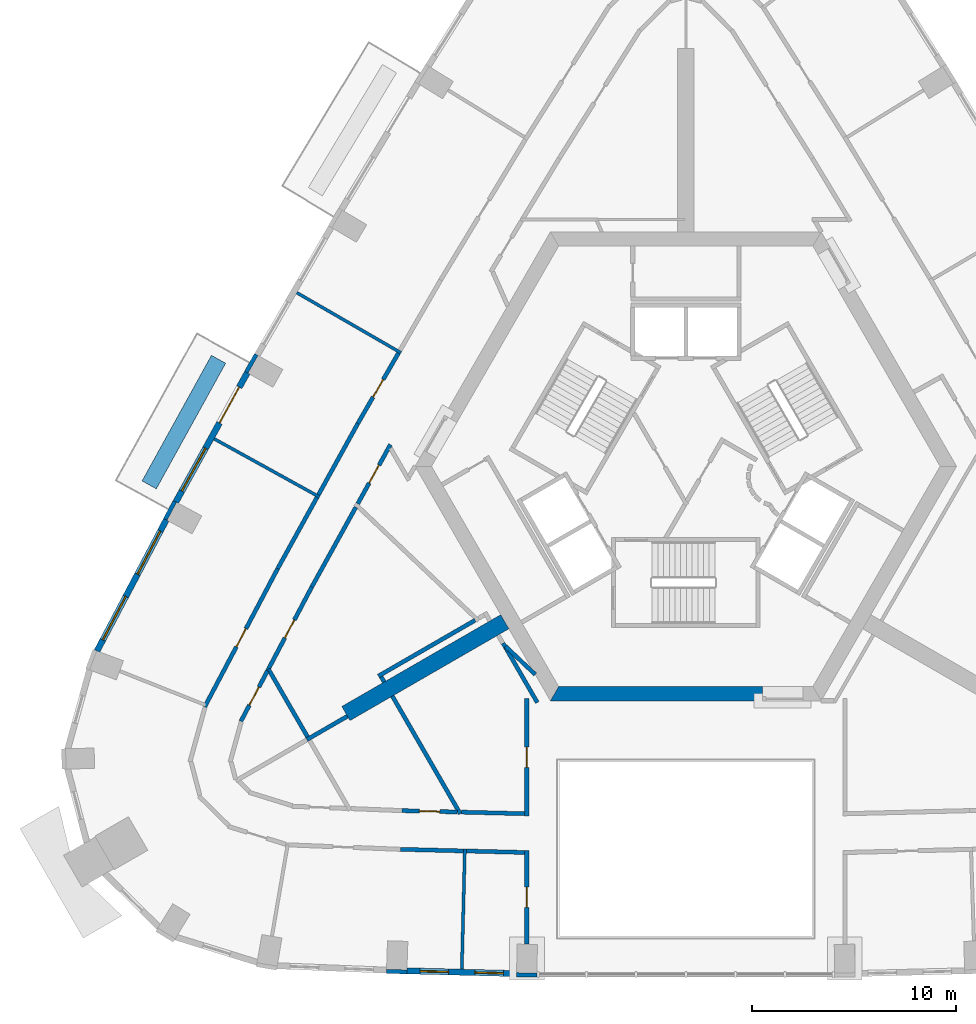
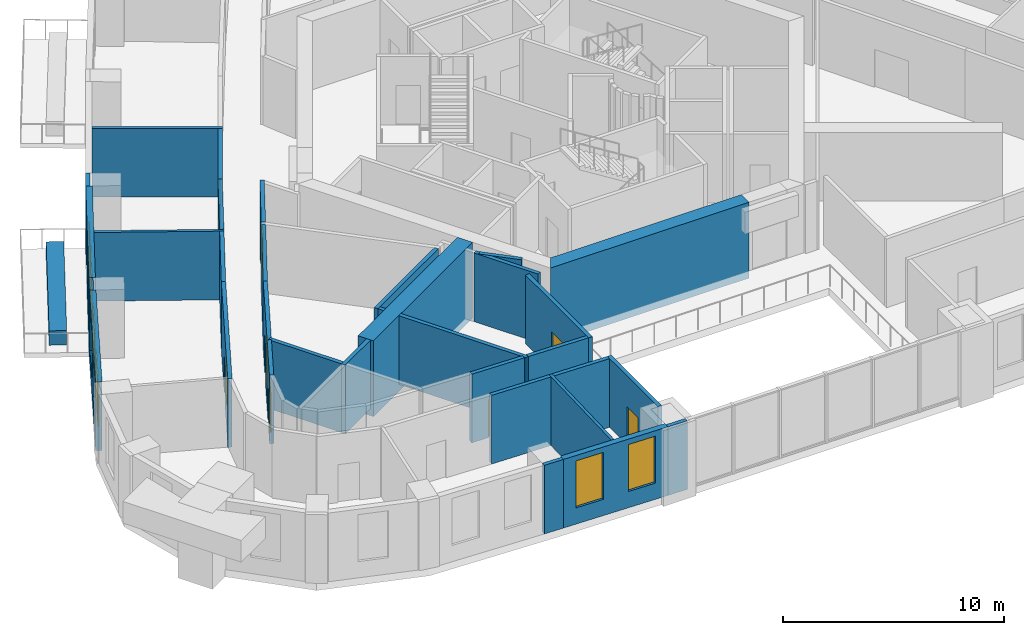
# One storey, part 4 of 13: 34 walls, 9 doors, 5 windows, 14 openings.
"""IFC4 building model written with IfcOpenShell, lengths in metres."""

from ifc_helpers import new_model, si_unit, direction, frame, frame_2d, origin, place, context, subcontext, project, spatial, polyline, rectangle, outline, extrude, material, layer, layer_set, type_object, element, fill, save


model = new_model("IFC4")

# Units and contexts
model_context = context("Model", 3, precision=1e-05, world=origin(), true_north=direction((0.0, 1.0)))
body_context = subcontext(model_context, "Body", "Model", "MODEL_VIEW")
ifc_project = project(units=[si_unit("LENGTHUNIT", "METRE"), si_unit("AREAUNIT", "SQUARE_METRE"), si_unit("VOLUMEUNIT", "CUBIC_METRE"), si_unit("PLANEANGLEUNIT", "RADIAN"), si_unit("MASSUNIT", "GRAM", prefix="KILO")], contexts=[model_context])

# Site, building, storey
site_placement = place(None, origin())
site = spatial("IfcSite", under=ifc_project, at=site_placement, CompositionType="ELEMENT")
building_placement = place(site_placement, origin())
building = spatial("IfcBuilding", under=site, at=building_placement, Name="Entoto Arch Interchange Tower", CompositionType="ELEMENT")
storey_placement = place(building_placement, frame((0.0, 0.0, 210.800048828125)))
storey = spatial("IfcBuildingStorey", under=building, at=storey_placement, Name="L47", CompositionType="ELEMENT", Elevation=210.800048828125)

# Walls
ifc_material_1 = material(Name="Concrete C50/60", Category="concrete")
ifc_layer_1 = layer(ifc_material_1, 0.800048828125)
ifc_layer_set_1 = layer_set([ifc_layer_1], Name="Concrete C50/60")
wall_type_1 = type_object("IfcWallType", Name="Buttress wall 800 C50/60", PredefinedType="SHEAR", material=ifc_layer_set_1)
wall_1_placement = place(storey_placement, frame((-8.876953125, -5.125, -0.400146484375), z_axis=(0.0, 0.0, 1.0), x_axis=(-0.866017533419, -0.500013631625, 0.0)))
element("IfcWall", 1, at=wall_1_placement, inside=storey, type_object=wall_type_1, Name="Buttress wall SW L47", PredefinedType="SHEAR", context=body_context, shape_type="SweptSolid", body=[
    extrude(rectangle(XDim=8.999755859375, YDim=0.800048828125, at=frame_2d((4.5, 0.0))), origin(), (0.0, 0.0, 1.0), 4.2001953125),
])
ifc_layer_2 = layer(ifc_material_1, 0.699951171875)
ifc_layer_set_2 = layer_set([ifc_layer_2], Name="Concrete C50/60")
wall_type_2 = type_object("IfcWallType", Name="Core wall 700 C50/60", PredefinedType="SHEAR", material=ifc_layer_set_2)
wall_2_placement = place(storey_placement, frame((0.0, 0.0, -0.400146484375)))
element("IfcWall", 2, at=wall_2_placement, inside=storey, type_object=wall_type_2, Name="Core wall S L47", PredefinedType="SHEAR", context=body_context, shape_type="SweptSolid", body=[
    extrude(outline(polyline([(3.75, -9.0), (3.75, -8.300048828125), (-6.235107421875, -8.300048828125), (-6.639892578125, -9.0), (3.75, -9.0)])), origin(), (0.0, 0.0, 1.0), 4.2001953125),
])
ifc_material_2 = material(Name="Gypsum board partition on steel studs", Category="steel")
ifc_layer_3 = layer(ifc_material_2, 0.14990234375)
ifc_layer_set_3 = layer_set([ifc_layer_3], Name="Gypsum board partition on steel studs")
wall_type_3 = type_object("IfcWallType", Name="PARTITION 150", PredefinedType="PARTITIONING", material=ifc_layer_set_3)
for number, where, z_axis, x_axis, name in (
    (3, (-13.969970703125, 8.06494140625, 0.0), (0.0, 0.0, 1.0), (-0.866011230889, 0.500024547371, 0.0), "wall:L47:p118"),
    (4, (-17.964111328125, 0.992919921875, 0.0), (0.0, 0.0, 1.0), (-0.875289017238, 0.483600182282, 0.0), "wall:L47:p119"),
):
    element("IfcWall", number, at=place(storey_placement, frame(where, z_axis=z_axis, x_axis=x_axis)), inside=storey, type_object=wall_type_3, Name=name, PredefinedType="PARTITIONING", context=body_context, shape_type="SweptSolid", body=[
        extrude(rectangle(XDim=5.899658203125, YDim=0.14990234375, at=frame_2d((2.94970703125, 0.0))), origin(), (0.0, 0.0, 1.0), 3.800048828125),
    ])
wall_3_placement = place(storey_placement, frame((-10.8359375, -16.26611328125, 0.0), z_axis=(0.0, 0.0, 1.0), x_axis=(-0.025076969416, -0.999685523355, 0.0)))
element("IfcWall", 5, at=wall_3_placement, inside=storey, type_object=wall_type_3, Name="wall:L47:p122", PredefinedType="PARTITIONING", context=body_context, shape_type="SweptSolid", body=[
    extrude(rectangle(XDim=5.89990234375, YDim=0.14990234375, at=frame_2d((2.949951171875, 0.0))), origin(), (0.0, 0.0, 1.0), 3.800048828125),
])

# Wall, opening, door
ifc_layer_4 = layer(ifc_material_2, 0.199951171875)
ifc_layer_set_4 = layer_set([ifc_layer_4], Name="Gypsum board partition on steel studs")
wall_type_4 = type_object("IfcWallType", Name="PARTITION 200", PredefinedType="PARTITIONING", material=ifc_layer_set_4)
wall_4_placement = place(storey_placement, frame((-14.487060546875, 3.56396484375, 0.0), z_axis=(0.0, 0.0, 1.0), x_axis=(-0.483555199903, -0.875313868648, 0.0)))
wall_4 = element("IfcWall", 6, at=wall_4_placement, inside=storey, type_object=wall_type_4, Name="wall:L47:p025", PredefinedType="PARTITIONING", context=body_context, shape_type="SweptSolid", body=[
    extrude(rectangle(XDim=3.30859375, YDim=0.199951171875, at=frame_2d((1.654296875, 0.0))), origin(), (0.0, 0.0, 1.0), 3.800048828125),
])
opening_1_placement = place(wall_4_placement, frame((1.154052734375, 0.0, 0.0)))
opening_1 = element("IfcOpeningElement", 7, at=opening_1_placement, cuts=wall_4, Name="Opening L47-D19", PredefinedType="OPENING", context=body_context, shape_type="SweptSolid", body=[
    extrude(rectangle(XDim=1.0, YDim=2.10009765625, at=frame_2d((0.5, 1.050048828125))), frame((0.0, 0.10986328125, 0.0), z_axis=(0.0, -1.0, 0.0), x_axis=(1.0, 0.0, 0.0)), (0.0, 0.0, 1.0), 0.219970703125),
])
ifc_material_3 = material(Name="Timber door leaf in Steel S235 frame", Category="steel")
door_type_1 = type_object("IfcDoorType", Name="DOOR DS-10 1000x2100", OperationType="SINGLE_SWING_LEFT", PredefinedType="DOOR", material=ifc_material_3)
door_1_placement = place(opening_1_placement, origin())
door_1 = element("IfcDoor", 8, at=door_1_placement, inside=storey, type_object=door_type_1, Name="door:L47:19", OperationType="SINGLE_SWING_LEFT", OverallHeight=2.10009765625, OverallWidth=1.0, PredefinedType="DOOR", context=body_context, shape_type="SweptSolid", body=[
    extrude(rectangle(XDim=1.0, YDim=2.10009765625, at=frame_2d((0.5, 1.050048828125))), frame((0.0, 0.02490234375, 0.0), z_axis=(0.0, -1.0, 0.0), x_axis=(1.0, 0.0, 0.0)), (0.0, 0.0, 1.0), 0.050048828125),
])
fill(opening_1, door_1)

# Walls
wall_5_placement = place(storey_placement, frame((-11.009033203125, -14.4609375, 0.0), z_axis=(0.0, 0.0, 1.0), x_axis=(0.999684451251, -0.025119672116, 0.0)))
element("IfcWall", 9, at=wall_5_placement, inside=storey, type_object=wall_type_4, Name="wall:L47:p026", PredefinedType="PARTITIONING", context=body_context, shape_type="SweptSolid", body=[
    extrude(rectangle(XDim=3.110107421875, YDim=0.199951171875, at=frame_2d((1.55517578125, 0.0))), origin(), (0.0, 0.0, 1.0), 3.800048828125),
])
wall_6_placement = place(storey_placement, frame((-16.18408203125, 0.492919921875, 0.0), z_axis=(0.0, 0.0, 1.0), x_axis=(-0.48354397003, -0.875320072344, 0.0)))
element("IfcWall", 10, at=wall_6_placement, inside=storey, type_object=wall_type_4, Name="wall:L47:p027", PredefinedType="PARTITIONING", context=body_context, shape_type="SweptSolid", body=[
    extrude(rectangle(XDim=4.466796875, YDim=0.199951171875, at=frame_2d((2.2333984375, 0.0))), origin(), (0.0, 0.0, 1.0), 3.800048828125),
])

# Wall, opening, door
wall_7_placement = place(storey_placement, frame((-18.343994140625, -3.4169921875, 0.0), z_axis=(0.0, 0.0, 1.0), x_axis=(-0.466889669343, -0.884315575267, 0.0)))
wall_7 = element("IfcWall", 11, at=wall_7_placement, inside=storey, type_object=wall_type_4, Name="wall:L47:p028", PredefinedType="PARTITIONING", context=body_context, shape_type="SweptSolid", body=[
    extrude(rectangle(XDim=4.654296875, YDim=0.199951171875, at=frame_2d((2.3271484375, 0.0))), origin(), (0.0, 0.0, 1.0), 3.800048828125),
])
opening_2_placement = place(wall_7_placement, frame((1.826904296875, 0.0, 0.0)))
opening_2 = element("IfcOpeningElement", 12, at=opening_2_placement, cuts=wall_7, Name="Opening L47-D21", PredefinedType="OPENING", context=body_context, shape_type="SweptSolid", body=[
    extrude(rectangle(XDim=1.0, YDim=2.10009765625, at=frame_2d((0.5, 1.050048828125))), frame((0.0, 0.10986328125, 0.0), z_axis=(0.0, -1.0, 0.0), x_axis=(1.0, 0.0, 0.0)), (0.0, 0.0, 1.0), 0.219970703125),
])
door_2_placement = place(opening_2_placement, origin())
door_2 = element("IfcDoor", 13, at=door_2_placement, inside=storey, type_object=door_type_1, Name="door:L47:21", OperationType="SINGLE_SWING_LEFT", OverallHeight=2.10009765625, OverallWidth=1.0, PredefinedType="DOOR", context=body_context, shape_type="SweptSolid", body=[
    extrude(rectangle(XDim=1.0, YDim=2.10009765625, at=frame_2d((0.5, 1.050048828125))), frame((0.0, 0.02490234375, 0.0), z_axis=(0.0, -1.0, 0.0), x_axis=(1.0, 0.0, 0.0)), (0.0, 0.0, 1.0), 0.050048828125),
])
fill(opening_2, door_2)

wall_8_placement = place(storey_placement, frame((-13.925048828125, -14.386962890625, 0.0), z_axis=(0.0, 0.0, 1.0), x_axis=(0.999685678874, -0.025070768935, 0.0)))
wall_8 = element("IfcWall", 14, at=wall_8_placement, inside=storey, type_object=wall_type_4, Name="wall:L47:p030", PredefinedType="PARTITIONING", context=body_context, shape_type="SweptSolid", body=[
    extrude(rectangle(XDim=2.716796875, YDim=0.199951171875, at=frame_2d((1.3583984375, 0.0))), origin(), (0.0, 0.0, 1.0), 3.800048828125),
])
opening_3_placement = place(wall_8_placement, frame((0.85791015625, 0.0, 0.0)))
opening_3 = element("IfcOpeningElement", 15, at=opening_3_placement, cuts=wall_8, Name="Opening L47-D22", PredefinedType="OPENING", context=body_context, shape_type="SweptSolid", body=[
    extrude(rectangle(XDim=1.0, YDim=2.10009765625, at=frame_2d((0.5, 1.050048828125))), frame((0.0, 0.10986328125, 0.0), z_axis=(0.0, -1.0, 0.0), x_axis=(1.0, 0.0, 0.0)), (0.0, 0.0, 1.0), 0.219970703125),
])
door_3_placement = place(opening_3_placement, origin())
door_3 = element("IfcDoor", 16, at=door_3_placement, inside=storey, type_object=door_type_1, Name="door:L47:22", OperationType="SINGLE_SWING_LEFT", OverallHeight=2.10009765625, OverallWidth=1.0, PredefinedType="DOOR", context=body_context, shape_type="SweptSolid", body=[
    extrude(rectangle(XDim=1.0, YDim=2.10009765625, at=frame_2d((0.5, 1.050048828125))), frame((0.0, 0.02490234375, 0.0), z_axis=(0.0, -1.0, 0.0), x_axis=(1.0, 0.0, 0.0)), (0.0, 0.0, 1.0), 0.050048828125),
])
fill(opening_3, door_3)

wall_9_placement = place(storey_placement, frame((-20.51708984375, -7.532958984375, 0.0), z_axis=(0.0, 0.0, 1.0), x_axis=(-0.466570716246, -0.88448389852, 0.0)))
wall_9 = element("IfcWall", 17, at=wall_9_placement, inside=storey, type_object=wall_type_4, Name="wall:L47:p031", PredefinedType="PARTITIONING", context=body_context, shape_type="SweptSolid", body=[
    extrude(rectangle(XDim=2.794677734375, YDim=0.199951171875, at=frame_2d((1.3974609375, 0.0))), origin(), (0.0, 0.0, 1.0), 3.800048828125),
])
opening_4_placement = place(wall_9_placement, frame((0.89697265625, 0.0, 0.0)))
opening_4 = element("IfcOpeningElement", 18, at=opening_4_placement, cuts=wall_9, Name="Opening L47-D23", PredefinedType="OPENING", context=body_context, shape_type="SweptSolid", body=[
    extrude(rectangle(XDim=1.0, YDim=2.10009765625, at=frame_2d((0.5, 1.050048828125))), frame((0.0, 0.10986328125, 0.0), z_axis=(0.0, -1.0, 0.0), x_axis=(1.0, 0.0, 0.0)), (0.0, 0.0, 1.0), 0.219970703125),
])
door_4_placement = place(opening_4_placement, origin())
door_4 = element("IfcDoor", 19, at=door_4_placement, inside=storey, type_object=door_type_1, Name="door:L47:23", OperationType="SINGLE_SWING_LEFT", OverallHeight=2.10009765625, OverallWidth=1.0, PredefinedType="DOOR", context=body_context, shape_type="SweptSolid", body=[
    extrude(rectangle(XDim=1.0, YDim=2.10009765625, at=frame_2d((0.5, 1.050048828125))), frame((0.0, 0.02490234375, 0.0), z_axis=(0.0, -1.0, 0.0), x_axis=(1.0, 0.0, 0.0)), (0.0, 0.0, 1.0), 0.050048828125),
])
fill(opening_4, door_4)

# Wall
wall_10_placement = place(storey_placement, frame((-18.014892578125, 1.10693359375, 0.0), z_axis=(0.0, 0.0, 1.0), x_axis=(0.483551557311, 0.875315880938, 0.0)))
element("IfcWall", 20, at=wall_10_placement, inside=storey, type_object=wall_type_4, Name="wall:L47:p055", PredefinedType="PARTITIONING", context=body_context, shape_type="SweptSolid", body=[
    extrude(rectangle(XDim=3.987060546875, YDim=0.199951171875, at=frame_2d((1.99365234375, 0.0))), origin(), (0.0, 0.0, 1.0), 3.800048828125),
])

# Wall, opening, door
wall_11_placement = place(storey_placement, frame((-16.0869140625, 4.596923828125, 0.0), z_axis=(0.0, 0.0, 1.0), x_axis=(0.499860276602, 0.866106058099, 0.0)))
wall_11 = element("IfcWall", 21, at=wall_11_placement, inside=storey, type_object=wall_type_4, Name="wall:L47:p056", PredefinedType="PARTITIONING", context=body_context, shape_type="SweptSolid", body=[
    extrude(rectangle(XDim=3.987060546875, YDim=0.199951171875, at=frame_2d((1.99365234375, 0.0))), origin(), (0.0, 0.0, 1.0), 3.800048828125),
])
opening_5_placement = place(wall_11_placement, frame((1.493896484375, 0.0, 0.0)))
opening_5 = element("IfcOpeningElement", 22, at=opening_5_placement, cuts=wall_11, Name="Opening L47-D11", PredefinedType="OPENING", context=body_context, shape_type="SweptSolid", body=[
    extrude(rectangle(XDim=1.0, YDim=2.10009765625, at=frame_2d((0.5, 1.050048828125))), frame((0.0, 0.10986328125, 0.0), z_axis=(0.0, -1.0, 0.0), x_axis=(1.0, 0.0, 0.0)), (0.0, 0.0, 1.0), 0.219970703125),
])
door_5_placement = place(opening_5_placement, origin())
door_5 = element("IfcDoor", 23, at=door_5_placement, inside=storey, type_object=door_type_1, Name="door:L47:11", OperationType="SINGLE_SWING_LEFT", OverallHeight=2.10009765625, OverallWidth=1.0, PredefinedType="DOOR", context=body_context, shape_type="SweptSolid", body=[
    extrude(rectangle(XDim=1.0, YDim=2.10009765625, at=frame_2d((0.5, 1.050048828125))), frame((0.0, 0.02490234375, 0.0), z_axis=(0.0, -1.0, 0.0), x_axis=(1.0, 0.0, 0.0)), (0.0, 0.0, 1.0), 0.050048828125),
])
fill(opening_5, door_5)

wall_12_placement = place(storey_placement, frame((-23.597900390625, -9.301025390625, 0.0), z_axis=(0.0, 0.0, 1.0), x_axis=(0.466852608943, 0.884335140952, 0.0)))
wall_12 = element("IfcWall", 24, at=wall_12_placement, inside=storey, type_object=wall_type_4, Name="wall:L47:p057", PredefinedType="PARTITIONING", context=body_context, shape_type="SweptSolid", body=[
    extrude(rectangle(XDim=7.6748046875, YDim=0.199951171875, at=frame_2d((3.83740234375, 0.0))), origin(), (0.0, 0.0, 1.0), 3.800048828125),
])
opening_6_placement = place(wall_12_placement, frame((3.3369140625, 0.0, 0.0)))
opening_6 = element("IfcOpeningElement", 25, at=opening_6_placement, cuts=wall_12, Name="Opening L47-D12", PredefinedType="OPENING", context=body_context, shape_type="SweptSolid", body=[
    extrude(rectangle(XDim=1.0, YDim=2.10009765625, at=frame_2d((0.5, 1.050048828125))), frame((0.0, 0.10986328125, 0.0), z_axis=(0.0, -1.0, 0.0), x_axis=(1.0, 0.0, 0.0)), (0.0, 0.0, 1.0), 0.219970703125),
])
door_6_placement = place(opening_6_placement, origin())
door_6 = element("IfcDoor", 26, at=door_6_placement, inside=storey, type_object=door_type_1, Name="door:L47:12", OperationType="SINGLE_SWING_LEFT", OverallHeight=2.10009765625, OverallWidth=1.0, PredefinedType="DOOR", context=body_context, shape_type="SweptSolid", body=[
    extrude(rectangle(XDim=1.0, YDim=2.10009765625, at=frame_2d((0.5, 1.050048828125))), frame((0.0, 0.02490234375, 0.0), z_axis=(0.0, -1.0, 0.0), x_axis=(1.0, 0.0, 0.0)), (0.0, 0.0, 1.0), 0.050048828125),
])
fill(opening_6, door_6)

# Walls
wall_13_placement = place(storey_placement, frame((-20.014892578125, -2.513916015625, 0.0), z_axis=(0.0, 0.0, 1.0), x_axis=(0.483363864601, 0.875419541933, 0.0)))
element("IfcWall", 27, at=wall_13_placement, inside=storey, type_object=wall_type_4, Name="wall:L47:p058", PredefinedType="PARTITIONING", context=body_context, shape_type="SweptSolid", body=[
    extrude(rectangle(XDim=3.986572265625, YDim=0.199951171875, at=frame_2d((1.9931640625, 0.0))), origin(), (0.0, 0.0, 1.0), 3.800048828125),
])
wall_14_placement = place(storey_placement, frame((-10.9130859375, -16.364013671875, 0.0), z_axis=(0.0, 0.0, 1.0), x_axis=(-0.999676990694, 0.02541484365, 0.0)))
element("IfcWall", 28, at=wall_14_placement, inside=storey, type_object=wall_type_4, Name="wall:L47:p063", PredefinedType="PARTITIONING", context=body_context, shape_type="SweptSolid", body=[
    extrude(rectangle(XDim=3.073974609375, YDim=0.199951171875, at=frame_2d((1.537109375, 0.0))), origin(), (0.0, 0.0, 1.0), 3.800048828125),
])
wall_15_placement = place(storey_placement, frame((-7.89990234375, -16.43994140625, 0.0), z_axis=(0.0, 0.0, 1.0), x_axis=(-0.999675117104, 0.025488433531, 0.0)))
element("IfcWall", 29, at=wall_15_placement, inside=storey, type_object=wall_type_4, Name="wall:L47:p065", PredefinedType="PARTITIONING", context=body_context, shape_type="SweptSolid", body=[
    extrude(rectangle(XDim=2.864013671875, YDim=0.199951171875, at=frame_2d((1.43212890625, 0.0))), origin(), (0.0, 0.0, 1.0), 3.800048828125),
])
wall_16_placement = place(storey_placement, frame((-8.840087890625, -6.33203125, 0.0), z_axis=(0.0, 0.0, 1.0), x_axis=(0.726080635734, -0.687609562479, 0.0)))
element("IfcWall", 30, at=wall_16_placement, inside=storey, type_object=wall_type_4, Name="wall:L47:p092", PredefinedType="PARTITIONING", context=body_context, shape_type="SweptSolid", body=[
    extrude(rectangle(XDim=2.00537109375, YDim=0.199951171875, at=frame_2d((1.002685546875, 0.0))), origin(), (0.0, 0.0, 1.0), 3.800048828125),
])

# Wall, opening, door
wall_17_placement = place(storey_placement, frame((-7.800048828125, -14.64111328125, 0.0), z_axis=(0.0, 0.0, 1.0), x_axis=(0.0, 1.0, 0.0)))
wall_17 = element("IfcWall", 31, at=wall_17_placement, inside=storey, type_object=wall_type_4, Name="wall:L47:p093", PredefinedType="PARTITIONING", context=body_context, shape_type="SweptSolid", body=[
    extrude(rectangle(XDim=5.7421875, YDim=0.199951171875, at=frame_2d((2.87109375, 0.0))), origin(), (0.0, 0.0, 1.0), 3.800048828125),
])
opening_7_placement = place(wall_17_placement, frame((2.37109375, 0.0, 0.0)))
opening_7 = element("IfcOpeningElement", 32, at=opening_7_placement, cuts=wall_17, Name="Opening L47-D20", PredefinedType="OPENING", context=body_context, shape_type="SweptSolid", body=[
    extrude(rectangle(XDim=1.0, YDim=2.10009765625, at=frame_2d((0.5, 1.050048828125))), frame((0.0, 0.10986328125, 0.0), z_axis=(0.0, -1.0, 0.0), x_axis=(1.0, 0.0, 0.0)), (0.0, 0.0, 1.0), 0.219970703125),
])
door_7_placement = place(opening_7_placement, origin())
door_7 = element("IfcDoor", 33, at=door_7_placement, inside=storey, type_object=door_type_1, Name="door:L47:20", OperationType="SINGLE_SWING_LEFT", OverallHeight=2.10009765625, OverallWidth=1.0, PredefinedType="DOOR", context=body_context, shape_type="SweptSolid", body=[
    extrude(rectangle(XDim=1.0, YDim=2.10009765625, at=frame_2d((0.5, 1.050048828125))), frame((0.0, 0.02490234375, 0.0), z_axis=(0.0, -1.0, 0.0), x_axis=(1.0, 0.0, 0.0)), (0.0, 0.0, 1.0), 0.050048828125),
])
fill(opening_7, door_7)

# Wall
wall_18_placement = place(storey_placement, frame((-7.282958984375, -9.0859375, 0.0), z_axis=(0.0, 0.0, 1.0), x_axis=(-0.499883958536, 0.86609238999, 0.0)))
element("IfcWall", 34, at=wall_18_placement, inside=storey, type_object=wall_type_4, Name="wall:L47:p094", PredefinedType="PARTITIONING", context=body_context, shape_type="SweptSolid", body=[
    extrude(rectangle(XDim=3.358642578125, YDim=0.199951171875, at=frame_2d((1.67919921875, 0.0))), origin(), (0.0, 0.0, 1.0), 3.800048828125),
])

# Wall, opening, door
wall_19_placement = place(storey_placement, frame((-7.800048828125, -20.924072265625, 0.0), z_axis=(0.0, 0.0, 1.0), x_axis=(0.0, 1.0, 0.0)))
wall_19 = element("IfcWall", 35, at=wall_19_placement, inside=storey, type_object=wall_type_4, Name="wall:L47:p096", PredefinedType="PARTITIONING", context=body_context, shape_type="SweptSolid", body=[
    extrude(rectangle(XDim=4.58203125, YDim=0.199951171875, at=frame_2d((2.291015625, 0.0))), origin(), (0.0, 0.0, 1.0), 3.800048828125),
])
opening_8_placement = place(wall_19_placement, frame((1.791015625, 0.0, 0.0)))
opening_8 = element("IfcOpeningElement", 36, at=opening_8_placement, cuts=wall_19, Name="Opening L47-D15", PredefinedType="OPENING", context=body_context, shape_type="SweptSolid", body=[
    extrude(rectangle(XDim=1.0, YDim=2.10009765625, at=frame_2d((0.5, 1.050048828125))), frame((0.0, 0.10986328125, 0.0), z_axis=(0.0, -1.0, 0.0), x_axis=(1.0, 0.0, 0.0)), (0.0, 0.0, 1.0), 0.219970703125),
])
door_8_placement = place(opening_8_placement, origin())
door_8 = element("IfcDoor", 37, at=door_8_placement, inside=storey, type_object=door_type_1, Name="door:L47:15", OperationType="SINGLE_SWING_LEFT", OverallHeight=2.10009765625, OverallWidth=1.0, PredefinedType="DOOR", context=body_context, shape_type="SweptSolid", body=[
    extrude(rectangle(XDim=1.0, YDim=2.10009765625, at=frame_2d((0.5, 1.050048828125))), frame((0.0, 0.02490234375, 0.0), z_axis=(0.0, -1.0, 0.0), x_axis=(1.0, 0.0, 0.0)), (0.0, 0.0, 1.0), 0.050048828125),
])
fill(opening_8, door_8)

# Walls
wall_20_placement = place(storey_placement, frame((-14.7919921875, -8.077880859375, 0.0), z_axis=(0.0, 0.0, 1.0), x_axis=(-0.50241736454, 0.864625231999, 0.0)))
element("IfcWall", 38, at=wall_20_placement, inside=storey, type_object=wall_type_4, Name="wall:L47:p102", PredefinedType="PARTITIONING", context=body_context, shape_type="SweptSolid", body=[
    extrude(rectangle(XDim=0.29248046875, YDim=0.199951171875, at=frame_2d((0.146240234375, 0.0))), origin(), (0.0, 0.0, 1.0), 3.800048828125),
])
wall_21_placement = place(storey_placement, frame((-15.075927734375, -7.7880859375, 0.0), z_axis=(0.0, 0.0, 1.0), x_axis=(0.866092814325, 0.499883223337, 0.0)))
element("IfcWall", 39, at=wall_21_placement, inside=storey, type_object=wall_type_4, Name="wall:L47:p103", PredefinedType="PARTITIONING", context=body_context, shape_type="SweptSolid", body=[
    extrude(rectangle(XDim=5.477294921875, YDim=0.199951171875, at=frame_2d((2.73876953125, 0.0))), origin(), (0.0, 0.0, 1.0), 3.800048828125),
])
wall_22_placement = place(storey_placement, frame((-11.05908203125, -14.544921875, 0.0), z_axis=(0.0, 0.0, 1.0), x_axis=(-0.499935899035, 0.866062409331, 0.0)))
element("IfcWall", 40, at=wall_22_placement, inside=storey, type_object=wall_type_4, Name="wall:L47:p104", PredefinedType="PARTITIONING", context=body_context, shape_type="SweptSolid", body=[
    extrude(rectangle(XDim=6.6669921875, YDim=0.199951171875, at=frame_2d((3.33349609375, 0.0))), origin(), (0.0, 0.0, 1.0), 3.800048828125),
])
wall_23_placement = place(storey_placement, frame((-16.594970703125, -9.757080078125, 0.0), z_axis=(0.0, 0.0, 1.0), x_axis=(-0.866053019151, -0.499952165731, 0.0)))
element("IfcWall", 41, at=wall_23_placement, inside=storey, type_object=wall_type_4, Name="wall:L47:p105", PredefinedType="PARTITIONING", context=body_context, shape_type="SweptSolid", body=[
    extrude(rectangle(XDim=2.300048828125, YDim=0.199951171875, at=frame_2d((1.14990234375, 0.0))), origin(), (0.0, 0.0, 1.0), 3.800048828125),
])
wall_24_placement = place(storey_placement, frame((-18.550048828125, -10.77001953125, 0.0), z_axis=(0.0, 0.0, 1.0), x_axis=(-0.500050869834, 0.86599603208, 0.0)))
element("IfcWall", 42, at=wall_24_placement, inside=storey, type_object=wall_type_4, Name="wall:L47:p106", PredefinedType="PARTITIONING", context=body_context, shape_type="SweptSolid", body=[
    extrude(rectangle(XDim=3.83935546875, YDim=0.199951171875, at=frame_2d((1.919677734375, 0.0))), origin(), (0.0, 0.0, 1.0), 3.800048828125),
])
ifc_material_4 = material(Name="Board-marked precast concrete C50/60", Category="concrete")
ifc_layer_5 = layer(ifc_material_4, 0.800048828125)
ifc_layer_set_5 = layer_set([ifc_layer_5], Name="Board-marked precast concrete C50/60")
wall_type_5 = type_object("IfcWallType", Name="PLANTER RC 800 Vachellia abyssinica", PredefinedType="STANDARD", material=ifc_layer_set_5)
wall_25_placement = place(storey_placement, frame((-22.9150390625, 7.7490234375, 0.0), z_axis=(0.0, 0.0, 1.0), x_axis=(-0.483435790988, -0.875379823843, 0.0)))
element("IfcWall", 43, at=wall_25_placement, inside=storey, type_object=wall_type_5, Name="Planter NW-04 L47", PredefinedType="STANDARD", context=body_context, shape_type="SweptSolid", body=[
    extrude(rectangle(XDim=7.039306640625, YDim=0.800048828125, at=frame_2d((3.51953125, 0.0))), origin(), (0.0, 0.0, 1.0), 0.800048828125),
])

# Wall, openings, windows
ifc_material_5 = material(Name="Welded tuff (ignimbrite) cladding, warm buff", Category="masonry")
ifc_layer_6 = layer(ifc_material_5, 0.300048828125)
ifc_layer_set_6 = layer_set([ifc_layer_6], Name="Welded tuff (ignimbrite) cladding, warm buff")
wall_type_6 = type_object("IfcWallType", Name="STONE INFILL WALL 300", PredefinedType="STANDARD", material=ifc_layer_set_6)
wall_26_placement = place(storey_placement, frame((-13.680908203125, -22.24609375, 0.0), z_axis=(0.0, 0.0, 1.0), x_axis=(0.999685717988, -0.025069209235, 0.0)))
wall_26 = element("IfcWall", 44, at=wall_26_placement, inside=storey, type_object=wall_type_6, Name="Facade wall S-02 L47", PredefinedType="STANDARD", context=body_context, shape_type="SweptSolid", body=[
    extrude(rectangle(XDim=5.385498046875, YDim=0.300048828125, at=frame_2d((2.69287109375, 0.0))), origin(), (0.0, 0.0, 1.0), 3.800048828125),
])
opening_9_placement = place(wall_26_placement, frame((0.64599609375, 0.0, 0.89990234375)))
opening_9 = element("IfcOpeningElement", 45, at=opening_9_placement, cuts=wall_26, Name="Opening WO-B", PredefinedType="OPENING", context=body_context, shape_type="SweptSolid", body=[
    extrude(rectangle(XDim=1.39990234375, YDim=2.60009765625, at=frame_2d((0.699951171875, 1.300048828125))), frame((0.0, 0.16015625, 0.0), z_axis=(0.0, -1.0, 0.0), x_axis=(1.0, 0.0, 0.0)), (0.0, 0.0, 1.0), 0.320068359375),
])
opening_10_placement = place(wall_26_placement, frame((3.339111328125, 0.0, 0.89990234375)))
opening_10 = element("IfcOpeningElement", 46, at=opening_10_placement, cuts=wall_26, Name="Opening WO-B", PredefinedType="OPENING", context=body_context, shape_type="SweptSolid", body=[
    extrude(rectangle(XDim=1.39990234375, YDim=2.60009765625, at=frame_2d((0.699951171875, 1.300048828125))), frame((0.0, 0.16015625, 0.0), z_axis=(0.0, -1.0, 0.0), x_axis=(1.0, 0.0, 0.0)), (0.0, 0.0, 1.0), 0.320068359375),
])
ifc_material_6 = material(Name="Clear glass, low-e double glazed", Category="glass")
window_type_1 = type_object("IfcWindowType", Name="WINDOW WO-B 1400x2600", PartitioningType="DOUBLE_PANEL_VERTICAL", PredefinedType="WINDOW", material=ifc_material_6)
window_1_placement = place(opening_9_placement, origin())
window_1 = element("IfcWindow", 47, at=window_1_placement, inside=storey, type_object=window_type_1, Name="Window WO-B S-02 L47", OverallHeight=2.60009765625, OverallWidth=1.39990234375, PartitioningType="SINGLE_PANEL", PredefinedType="WINDOW", context=body_context, shape_type="SweptSolid", body=[
    extrude(rectangle(XDim=1.39990234375, YDim=2.60009765625, at=frame_2d((0.699951171875, 1.300048828125))), frame((0.0, 0.030029296875, 0.0), z_axis=(0.0, -1.0, 0.0), x_axis=(1.0, 0.0, 0.0)), (0.0, 0.0, 1.0), 0.06005859375),
])
fill(opening_9, window_1)
window_2_placement = place(opening_10_placement, origin())
window_2 = element("IfcWindow", 48, at=window_2_placement, inside=storey, type_object=window_type_1, Name="Window WO-B S-02 L47", OverallHeight=2.60009765625, OverallWidth=1.39990234375, PartitioningType="SINGLE_PANEL", PredefinedType="WINDOW", context=body_context, shape_type="SweptSolid", body=[
    extrude(rectangle(XDim=1.39990234375, YDim=2.60009765625, at=frame_2d((0.699951171875, 1.300048828125))), frame((0.0, 0.030029296875, 0.0), z_axis=(0.0, -1.0, 0.0), x_axis=(1.0, 0.0, 0.0)), (0.0, 0.0, 1.0), 0.06005859375),
])
fill(opening_10, window_2)

# Wall, openings, door, window
wall_27_placement = place(storey_placement, frame((-21.510009765625, 7.0859375, 0.0), z_axis=(0.0, 0.0, 1.0), x_axis=(-0.483590905878, -0.875294142419, 0.0)))
wall_27 = element("IfcWall", 49, at=wall_27_placement, inside=storey, type_object=wall_type_6, Name="Facade wall NW-04 L47", PredefinedType="STANDARD", context=body_context, shape_type="SweptSolid", body=[
    extrude(rectangle(XDim=7.237548828125, YDim=0.300048828125, at=frame_2d((3.61865234375, 0.0))), origin(), (0.0, 0.0, 1.0), 3.800048828125),
])
opening_11_placement = place(wall_27_placement, frame((0.80908203125, 0.0, 0.0)))
opening_11 = element("IfcOpeningElement", 50, at=opening_11_placement, cuts=wall_27, Name="Opening DB-NW-04-L47", PredefinedType="OPENING", context=body_context, shape_type="SweptSolid", body=[
    extrude(rectangle(XDim=2.0, YDim=2.39990234375, at=frame_2d((1.0, 1.199951171875))), frame((0.0, 0.16015625, 0.0), z_axis=(0.0, -1.0, 0.0), x_axis=(1.0, 0.0, 0.0)), (0.0, 0.0, 1.0), 0.320068359375),
])
opening_12_placement = place(wall_27_placement, frame((4.22802734375, 0.0, 0.89990234375)))
opening_12 = element("IfcOpeningElement", 51, at=opening_12_placement, cuts=wall_27, Name="Opening WO-A", PredefinedType="OPENING", context=body_context, shape_type="SweptSolid", body=[
    extrude(rectangle(XDim=2.39990234375, YDim=2.60009765625, at=frame_2d((1.199951171875, 1.300048828125))), frame((0.0, 0.16015625, 0.0), z_axis=(0.0, -1.0, 0.0), x_axis=(1.0, 0.0, 0.0)), (0.0, 0.0, 1.0), 0.320068359375),
])
ifc_material_7 = material(Name="Aluminium and clear glass, anodised", Category="aluminium")
door_type_2 = type_object("IfcDoorType", Name="BALCONY DOOR DB 2000x2400", OperationType="SLIDING_TO_LEFT", PredefinedType="DOOR", material=ifc_material_7)
door_9_placement = place(opening_11_placement, origin())
door_9 = element("IfcDoor", 52, at=door_9_placement, inside=storey, type_object=door_type_2, Name="Balcony door NW-04 L47", OperationType="SLIDING_TO_LEFT", OverallHeight=2.39990234375, OverallWidth=2.0, PredefinedType="DOOR", context=body_context, shape_type="SweptSolid", body=[
    extrude(rectangle(XDim=2.0, YDim=2.39990234375, at=frame_2d((1.0, 1.199951171875))), frame((0.0, 0.02490234375, 0.0), z_axis=(0.0, -1.0, 0.0), x_axis=(1.0, 0.0, 0.0)), (0.0, 0.0, 1.0), 0.050048828125),
])
fill(opening_11, door_9)
window_type_2 = type_object("IfcWindowType", Name="WINDOW WO-A 2400x2600", PartitioningType="DOUBLE_PANEL_VERTICAL", PredefinedType="WINDOW", material=ifc_material_6)
window_3_placement = place(opening_12_placement, origin())
window_3 = element("IfcWindow", 53, at=window_3_placement, inside=storey, type_object=window_type_2, Name="Window WO-A NW-04 L47", OverallHeight=2.60009765625, OverallWidth=2.39990234375, PartitioningType="SINGLE_PANEL", PredefinedType="WINDOW", context=body_context, shape_type="SweptSolid", body=[
    extrude(rectangle(XDim=2.39990234375, YDim=2.60009765625, at=frame_2d((1.199951171875, 1.300048828125))), frame((0.0, 0.030029296875, 0.0), z_axis=(0.0, -1.0, 0.0), x_axis=(1.0, 0.0, 0.0)), (0.0, 0.0, 1.0), 0.06005859375),
])
fill(opening_12, window_3)

# Wall, openings, windows
wall_28_placement = place(storey_placement, frame((-25.48388671875, -0.126953125, 0.0), z_axis=(0.0, 0.0, 1.0), x_axis=(-0.466789249342, -0.884368586449, 0.0)))
wall_28 = element("IfcWall", 54, at=wall_28_placement, inside=storey, type_object=wall_type_6, Name="Facade wall NW-05 L47", PredefinedType="STANDARD", context=body_context, shape_type="SweptSolid", body=[
    extrude(rectangle(XDim=7.273193359375, YDim=0.300048828125, at=frame_2d((3.63671875, 0.0))), origin(), (0.0, 0.0, 1.0), 3.800048828125),
])
opening_13_placement = place(wall_28_placement, frame((0.617919921875, 0.0, 0.89990234375)))
opening_13 = element("IfcOpeningElement", 55, at=opening_13_placement, cuts=wall_28, Name="Opening WO-A", PredefinedType="OPENING", context=body_context, shape_type="SweptSolid", body=[
    extrude(rectangle(XDim=2.39990234375, YDim=2.60009765625, at=frame_2d((1.199951171875, 1.300048828125))), frame((0.0, 0.16015625, 0.0), z_axis=(0.0, -1.0, 0.0), x_axis=(1.0, 0.0, 0.0)), (0.0, 0.0, 1.0), 0.320068359375),
])
opening_14_placement = place(wall_28_placement, frame((4.2548828125, 0.0, 0.89990234375)))
opening_14 = element("IfcOpeningElement", 56, at=opening_14_placement, cuts=wall_28, Name="Opening WO-A", PredefinedType="OPENING", context=body_context, shape_type="SweptSolid", body=[
    extrude(rectangle(XDim=2.39990234375, YDim=2.60009765625, at=frame_2d((1.199951171875, 1.300048828125))), frame((0.0, 0.16015625, 0.0), z_axis=(0.0, -1.0, 0.0), x_axis=(1.0, 0.0, 0.0)), (0.0, 0.0, 1.0), 0.320068359375),
])
window_4_placement = place(opening_13_placement, origin())
window_4 = element("IfcWindow", 57, at=window_4_placement, inside=storey, type_object=window_type_2, Name="Window WO-A NW-05 L47", OverallHeight=2.60009765625, OverallWidth=2.39990234375, PartitioningType="SINGLE_PANEL", PredefinedType="WINDOW", context=body_context, shape_type="SweptSolid", body=[
    extrude(rectangle(XDim=2.39990234375, YDim=2.60009765625, at=frame_2d((1.199951171875, 1.300048828125))), frame((0.0, 0.030029296875, 0.0), z_axis=(0.0, -1.0, 0.0), x_axis=(1.0, 0.0, 0.0)), (0.0, 0.0, 1.0), 0.06005859375),
])
fill(opening_13, window_4)
window_5_placement = place(opening_14_placement, origin())
window_5 = element("IfcWindow", 58, at=window_5_placement, inside=storey, type_object=window_type_2, Name="Window WO-A NW-05 L47", OverallHeight=2.60009765625, OverallWidth=2.39990234375, PartitioningType="SINGLE_PANEL", PredefinedType="WINDOW", context=body_context, shape_type="SweptSolid", body=[
    extrude(rectangle(XDim=2.39990234375, YDim=2.60009765625, at=frame_2d((1.199951171875, 1.300048828125))), frame((0.0, 0.030029296875, 0.0), z_axis=(0.0, -1.0, 0.0), x_axis=(1.0, 0.0, 0.0)), (0.0, 0.0, 1.0), 0.06005859375),
])
fill(opening_14, window_5)

# Walls
ifc_layer_7 = layer(ifc_material_5, 0.199951171875)
ifc_layer_set_7 = layer_set([ifc_layer_7], Name="Welded tuff (ignimbrite) cladding, warm buff")
wall_type_7 = type_object("IfcWallType", Name="STONE PIER CLADDING 200", PredefinedType="STANDARD", material=ifc_layer_set_7)
wall_29_placement = place(storey_placement, frame((-21.06591796875, 7.98291015625, 0.0), z_axis=(0.0, 0.0, 1.0), x_axis=(-0.492033129803, -0.870576475202, 0.0)))
element("IfcWall", 59, at=wall_29_placement, inside=storey, type_object=wall_type_7, Name="Stone pier NW04 L47", PredefinedType="STANDARD", context=body_context, shape_type="SweptSolid", body=[
    extrude(rectangle(XDim=1.000244140625, YDim=0.199951171875, at=frame_2d((0.5, 0.0))), origin(), (0.0, 0.0, 1.0), 3.800048828125),
])
wall_30_placement = place(storey_placement, frame((-25.05810546875, 0.778076171875, 0.0), z_axis=(0.0, 0.0, 1.0), x_axis=(-0.473663196434, -0.88070606694, 0.0)))
element("IfcWall", 60, at=wall_30_placement, inside=storey, type_object=wall_type_7, Name="Stone pier NW05 L47", PredefinedType="STANDARD", context=body_context, shape_type="SweptSolid", body=[
    extrude(rectangle(XDim=1.00048828125, YDim=0.199951171875, at=frame_2d((0.500244140625, 0.0))), origin(), (0.0, 0.0, 1.0), 3.800048828125),
])
wall_31_placement = place(storey_placement, frame((-14.680908203125, -22.26611328125, 0.0), z_axis=(0.0, 0.0, 1.0), x_axis=(0.999423561854, -0.033949138587, 0.0)))
element("IfcWall", 61, at=wall_31_placement, inside=storey, type_object=wall_type_7, Name="Stone pier S02 L47", PredefinedType="STANDARD", context=body_context, shape_type="SweptSolid", body=[
    extrude(rectangle(XDim=0.99951171875, YDim=0.199951171875, at=frame_2d((0.499755859375, 0.0))), origin(), (0.0, 0.0, 1.0), 3.800048828125),
])
wall_32_placement = place(storey_placement, frame((-8.299072265625, -22.43701171875, 0.0), z_axis=(0.0, 0.0, 1.0), x_axis=(0.999903186316, -0.013914668364, 0.0)))
element("IfcWall", 62, at=wall_32_placement, inside=storey, type_object=wall_type_7, Name="Stone pier S03 L47", PredefinedType="STANDARD", context=body_context, shape_type="SweptSolid", body=[
    extrude(rectangle(XDim=1.0, YDim=0.199951171875, at=frame_2d((0.5, 0.0))), origin(), (0.0, 0.0, 1.0), 3.800048828125),
])

save(model, "model.ifc")
